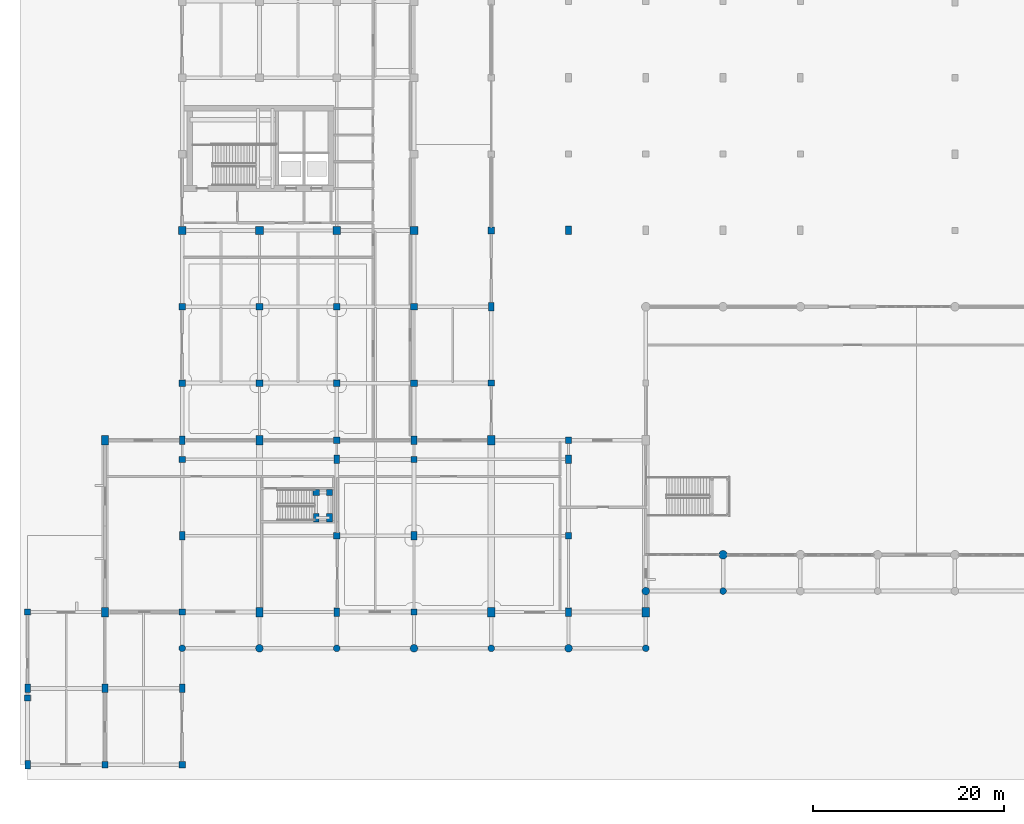
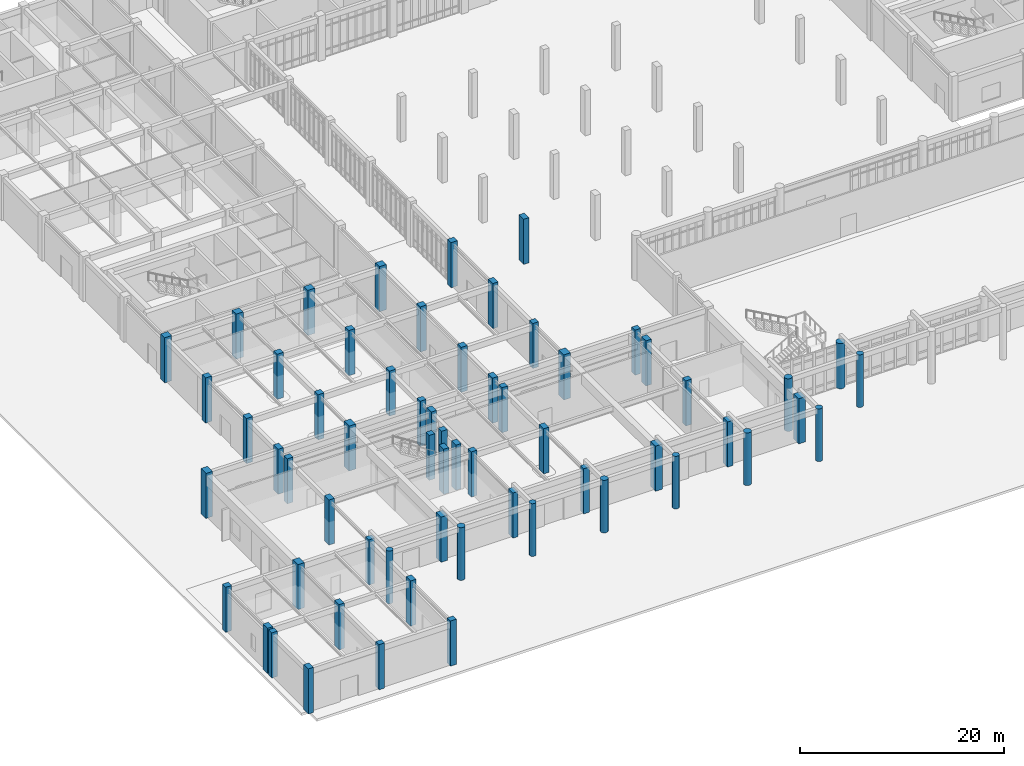
# One storey, part 1 of 62: 61 columns.
"""IFC4 building model written with IfcOpenShell, lengths in metres."""

from ifc_helpers import new_model, si_unit, direction, frame, origin, origin_2d, place, context, subcontext, project, spatial, rectangle, circle, extrude, material, material_profile, profile_set, type_object, element, save


model = new_model("IFC4")

# Units and contexts
model_context = context("Model", 3, precision=1e-05, world=origin(), true_north=direction((0.0, 1.0)))
body_context = subcontext(model_context, "Body", "Model", "MODEL_VIEW")
ifc_project = project(units=[si_unit("LENGTHUNIT", "METRE"), si_unit("AREAUNIT", "SQUARE_METRE"), si_unit("VOLUMEUNIT", "CUBIC_METRE"), si_unit("PLANEANGLEUNIT", "RADIAN"), si_unit("MASSUNIT", "GRAM", prefix="KILO")], contexts=[model_context])

# Site, building, storey
site_placement = place(None, origin())
site = spatial("IfcSite", under=ifc_project, at=site_placement, CompositionType="ELEMENT")
building_placement = place(site_placement, origin())
building = spatial("IfcBuilding", under=site, at=building_placement, Name="Tarnveldt Square Police Headquarters", CompositionType="ELEMENT")
storey_placement = place(building_placement, origin())
storey = spatial("IfcBuildingStorey", under=building, at=storey_placement, Name="L00", CompositionType="ELEMENT", Elevation=0.0)

# Columns
ifc_material_1 = material(Name="Concrete 40 MPa", Category="concrete")
ifc_material_profile_1 = material_profile(ifc_material_1, circle(Radius=0.35009765625, at=origin_2d()), Name="RC-D700")
ifc_profile_set_1 = profile_set([ifc_material_profile_1], Name="Concrete 40 MPa")
column_type_1 = type_object("IfcColumnType", Name="COL-D700", PredefinedType="COLUMN", material=ifc_profile_set_1)
for number, where, z_axis, x_axis, name in (
    (1, (16.199951171875, 12.199951171875, 0.0), (0.0, 0.0, 1.0), (1.0, 0.0, 0.0), "Tarnveldt Square Round Colonnade Column 1"),
    (2, (32.39990234375, 12.199951171875, 0.0), (0.0, 0.0, 1.0), (1.0, 0.0, 0.0), "Tarnveldt Square Round Colonnade Column 3"),
    (3, (48.60009765625, 12.199951171875, 0.0), (0.0, 0.0, 1.0), (1.0, 0.0, 0.0), "Tarnveldt Square Round Colonnade Column 5"),
    (4, (64.800048828125, 12.199951171875, 0.0), (0.0, 0.0, 1.0), (1.0, 0.0, 0.0), "Tarnveldt Square Round Colonnade Column 7"),
    (5, (72.89990234375, 18.199951171875, 0.0), (0.0, 0.0, 1.0), (1.0, 0.0, 0.0), "Tarnveldt Square Round Colonnade Column 9"),
):
    element("IfcColumn", number, at=place(storey_placement, frame(where, z_axis=z_axis, x_axis=x_axis)), inside=storey, type_object=column_type_1, Name=name, PredefinedType="COLUMN", context=body_context, shape_type="SweptSolid", body=[
        extrude(circle(Radius=0.35009765625, at=origin_2d()), origin(), (0.0, 0.0, 1.0), 6.300048828125),
    ])
ifc_material_profile_2 = material_profile(ifc_material_1, circle(Radius=0.39990234375, at=origin_2d()), Name="RC-D800")
ifc_profile_set_2 = profile_set([ifc_material_profile_2], Name="Concrete 40 MPa")
column_type_2 = type_object("IfcColumnType", Name="COL-D800", PredefinedType="COLUMN", material=ifc_profile_set_2)
for number, where, z_axis, x_axis, name in (
    (6, (24.300048828125, 12.199951171875, 0.0), (0.0, 0.0, 1.0), (1.0, 0.0, 0.0), "Tarnveldt Square Round Colonnade Column 2"),
    (7, (40.5, 12.199951171875, 0.0), (0.0, 0.0, 1.0), (1.0, 0.0, 0.0), "Tarnveldt Square Round Colonnade Column 4"),
    (8, (56.699951171875, 12.199951171875, 0.0), (0.0, 0.0, 1.0), (1.0, 0.0, 0.0), "Tarnveldt Square Round Colonnade Column 6"),
    (9, (64.800048828125, 18.199951171875, 0.0), (0.0, 0.0, 1.0), (1.0, 0.0, 0.0), "Tarnveldt Square Round Colonnade Column 8"),
):
    element("IfcColumn", number, at=place(storey_placement, frame(where, z_axis=z_axis, x_axis=x_axis)), inside=storey, type_object=column_type_2, Name=name, PredefinedType="COLUMN", context=body_context, shape_type="SweptSolid", body=[
        extrude(circle(Radius=0.39990234375, at=origin_2d()), origin(), (0.0, 0.0, 1.0), 6.300048828125),
    ])
ifc_material_2 = material(Name="Concrete 50 MPa", Category="concrete")
ifc_material_profile_3 = material_profile(ifc_material_2, circle(Radius=0.449951171875, at=origin_2d()), Name="RC-D900")
ifc_profile_set_3 = profile_set([ifc_material_profile_3], Name="Concrete 50 MPa")
column_type_3 = type_object("IfcColumnType", Name="COL-D900", PredefinedType="COLUMN", material=ifc_profile_set_3)
column_placement = place(storey_placement, frame((72.89990234375, 22.0, 0.0), z_axis=(0.0, 0.0, 1.0), x_axis=(1.0, 0.0, 0.0)))
element("IfcColumn", 10, at=column_placement, inside=storey, type_object=column_type_3, Name="L00 Column 107", PredefinedType="COLUMN", context=body_context, shape_type="SweptSolid", body=[
    extrude(circle(Radius=0.449951171875, at=origin_2d()), origin(), (0.0, 0.0, 1.0), 5.39990234375),
])
ifc_material_profile_4 = material_profile(ifc_material_2, rectangle(XDim=0.60009765625, YDim=0.89990234375, at=origin_2d()), Name="RC-C600x900")
ifc_profile_set_4 = profile_set([ifc_material_profile_4], Name="Concrete 50 MPa")
column_type_4 = type_object("IfcColumnType", Name="COL-RC600x900", PredefinedType="COLUMN", material=ifc_profile_set_4)
for number, where, z_axis, x_axis, name in (
    (11, (0.0, 0.0, 0.0), (0.0, 0.0, 1.0), (1.0, 0.0, 0.0), "L00 Column 001"),
    (12, (0.0, 8.0, 0.0), (0.0, 0.0, 1.0), (1.0, 0.0, 0.0), "L00 Column 003"),
    (13, (8.10009765625, 8.0, 0.0), (0.0, 0.0, 1.0), (1.0, 0.0, 0.0), "L00 Column 009"),
    (14, (16.199951171875, 8.0, 0.0), (0.0, 0.0, 1.0), (1.0, 0.0, 0.0), "L00 Column 013"),
    (15, (16.199951171875, 24.0, 0.0), (0.0, 0.0, 1.0), (1.0, 0.0, 0.0), "L00 Column 015"),
    (16, (16.199951171875, 34.0, 0.0), (0.0, 0.0, 1.0), (1.0, 0.0, 0.0), "L00 Column 017"),
    (17, (30.25, 25.8798828125, 0.0), (0.0, 0.0, 1.0), (1.0, 0.0, 0.0), "L00 Column 039"),
    (18, (31.64990234375, 25.8798828125, 0.0), (0.0, 0.0, 1.0), (1.0, 0.0, 0.0), "L00 Column 041"),
    (19, (32.39990234375, 16.0, 0.0), (0.0, 0.0, 1.0), (1.0, 0.0, 0.0), "L00 Column 043"),
    (20, (32.39990234375, 32.0, 0.0), (0.0, 0.0, 1.0), (1.0, 0.0, 0.0), "L00 Column 045"),
    (21, (40.5, 24.0, 0.0), (0.0, 0.0, 1.0), (1.0, 0.0, 0.0), "L00 Column 057"),
    (22, (40.5, 34.0, 0.0), (0.0, 0.0, 1.0), (1.0, 0.0, 0.0), "L00 Column 059"),
    (23, (48.60009765625, 48.0, 0.0), (0.0, 0.0, 1.0), (1.0, 0.0, 0.0), "L00 Column 073"),
    (24, (56.699951171875, 16.0, 0.0), (0.0, 0.0, 1.0), (1.0, 0.0, 0.0), "L00 Column 081"),
    (25, (56.699951171875, 32.0, 0.0), (0.0, 0.0, 1.0), (1.0, 0.0, 0.0), "L00 Column 083"),
    (26, (56.699951171875, 56.0, 0.0), (0.0, 0.0, 1.0), (1.0, 0.0, 0.0), "L00 Column 087"),
):
    element("IfcColumn", number, at=place(storey_placement, frame(where, z_axis=z_axis, x_axis=x_axis)), inside=storey, type_object=column_type_4, Name=name, PredefinedType="COLUMN", context=body_context, shape_type="SweptSolid", body=[
        extrude(rectangle(XDim=0.60009765625, YDim=0.89990234375, at=origin_2d()), origin(), (0.0, 0.0, 1.0), 5.39990234375),
    ])
ifc_material_profile_5 = material_profile(ifc_material_2, rectangle(XDim=0.64990234375, YDim=0.64990234375, at=origin_2d()), Name="RC-C650x650")
ifc_profile_set_5 = profile_set([ifc_material_profile_5], Name="Concrete 50 MPa")
column_type_5 = type_object("IfcColumnType", Name="COL-RC650", PredefinedType="COLUMN", material=ifc_profile_set_5)
for number, where, z_axis, x_axis, name in (
    (27, (0.0, 7.0, 0.0), (0.0, 0.0, 1.0), (1.0, 0.0, 0.0), "L00 Column 002"),
    (28, (0.0, 16.0, 0.0), (0.0, 0.0, 1.0), (1.0, 0.0, 0.0), "L00 Column 004"),
    (29, (8.10009765625, 0.0, 0.0), (0.0, 0.0, 1.0), (1.0, 0.0, 0.0), "L00 Column 008"),
    (30, (16.199951171875, 0.0, 0.0), (0.0, 0.0, 1.0), (1.0, 0.0, 0.0), "L00 Column 012"),
    (31, (16.199951171875, 16.0, 0.0), (0.0, 0.0, 1.0), (1.0, 0.0, 0.0), "L00 Column 014"),
    (32, (16.199951171875, 32.0, 0.0), (0.0, 0.0, 1.0), (1.0, 0.0, 0.0), "L00 Column 016"),
    (33, (30.25, 28.52001953125, 0.0), (0.0, 0.0, 1.0), (1.0, 0.0, 0.0), "L00 Column 040"),
    (34, (31.64990234375, 28.52001953125, 0.0), (0.0, 0.0, 1.0), (1.0, 0.0, 0.0), "L00 Column 042"),
    (35, (32.39990234375, 24.0, 0.0), (0.0, 0.0, 1.0), (1.0, 0.0, 0.0), "L00 Column 044"),
    (36, (32.39990234375, 34.0, 0.0), (0.0, 0.0, 1.0), (1.0, 0.0, 0.0), "L00 Column 046"),
    (37, (40.5, 16.0, 0.0), (0.0, 0.0, 1.0), (1.0, 0.0, 0.0), "L00 Column 056"),
    (38, (40.5, 32.0, 0.0), (0.0, 0.0, 1.0), (1.0, 0.0, 0.0), "L00 Column 058"),
    (39, (48.60009765625, 40.0, 0.0), (0.0, 0.0, 1.0), (1.0, 0.0, 0.0), "L00 Column 072"),
    (40, (56.699951171875, 24.0, 0.0), (0.0, 0.0, 1.0), (1.0, 0.0, 0.0), "L00 Column 082"),
    (41, (56.699951171875, 34.0, 0.0), (0.0, 0.0, 1.0), (1.0, 0.0, 0.0), "L00 Column 084"),
):
    element("IfcColumn", number, at=place(storey_placement, frame(where, z_axis=z_axis, x_axis=x_axis)), inside=storey, type_object=column_type_5, Name=name, PredefinedType="COLUMN", context=body_context, shape_type="SweptSolid", body=[
        extrude(rectangle(XDim=0.64990234375, YDim=0.64990234375, at=origin_2d()), origin(), (0.0, 0.0, 1.0), 5.39990234375),
    ])
ifc_material_profile_6 = material_profile(ifc_material_2, rectangle(XDim=0.699951171875, YDim=0.699951171875, at=origin_2d()), Name="RC-C700x700")
ifc_profile_set_6 = profile_set([ifc_material_profile_6], Name="Concrete 50 MPa")
column_type_6 = type_object("IfcColumnType", Name="COL-RC700", PredefinedType="COLUMN", material=ifc_profile_set_6)
for number, where, z_axis, x_axis, name in (
    (42, (16.199951171875, 40.0, 0.0), (0.0, 0.0, 1.0), (1.0, 0.0, 0.0), "L00 Column 018"),
    (43, (16.199951171875, 48.0, 0.0), (0.0, 0.0, 1.0), (1.0, 0.0, 0.0), "L00 Column 019"),
    (44, (24.300048828125, 40.0, 0.0), (0.0, 0.0, 1.0), (1.0, 0.0, 0.0), "L00 Column 031"),
    (45, (24.300048828125, 48.0, 0.0), (0.0, 0.0, 1.0), (1.0, 0.0, 0.0), "L00 Column 032"),
    (46, (32.39990234375, 40.0, 0.0), (0.0, 0.0, 1.0), (1.0, 0.0, 0.0), "L00 Column 047"),
    (47, (32.39990234375, 48.0, 0.0), (0.0, 0.0, 1.0), (1.0, 0.0, 0.0), "L00 Column 048"),
    (48, (40.5, 40.0, 0.0), (0.0, 0.0, 1.0), (1.0, 0.0, 0.0), "L00 Column 060"),
    (49, (40.5, 48.0, 0.0), (0.0, 0.0, 1.0), (1.0, 0.0, 0.0), "L00 Column 061"),
    (50, (48.60009765625, 56.0, 0.0), (0.0, 0.0, 1.0), (1.0, 0.0, 0.0), "L00 Column 074"),
):
    element("IfcColumn", number, at=place(storey_placement, frame(where, z_axis=z_axis, x_axis=x_axis)), inside=storey, type_object=column_type_6, Name=name, PredefinedType="COLUMN", context=body_context, shape_type="SweptSolid", body=[
        extrude(rectangle(XDim=0.699951171875, YDim=0.699951171875, at=origin_2d()), origin(), (0.0, 0.0, 1.0), 5.39990234375),
    ])
ifc_material_profile_7 = material_profile(ifc_material_2, rectangle(XDim=0.75, YDim=1.0, at=origin_2d()), Name="RC-C750x1000")
ifc_profile_set_7 = profile_set([ifc_material_profile_7], Name="Concrete 50 MPa")
column_type_7 = type_object("IfcColumnType", Name="COL-RC750x1000", PredefinedType="COLUMN", material=ifc_profile_set_7)
for number, where, z_axis, x_axis, name in (
    (51, (8.10009765625, 16.0, 0.0), (0.0, 0.0, 1.0), (1.0, 0.0, 0.0), "L00 Column 010"),
    (52, (8.10009765625, 34.0, 0.0), (0.0, 0.0, 1.0), (1.0, 0.0, 0.0), "L00 Column 011"),
    (53, (24.300048828125, 16.0, 0.0), (0.0, 0.0, 1.0), (1.0, 0.0, 0.0), "L00 Column 029"),
    (54, (24.300048828125, 34.0, 0.0), (0.0, 0.0, 1.0), (1.0, 0.0, 0.0), "L00 Column 030"),
    (55, (48.60009765625, 16.0, 0.0), (0.0, 0.0, 1.0), (1.0, 0.0, 0.0), "L00 Column 070"),
    (56, (48.60009765625, 34.0, 0.0), (0.0, 0.0, 1.0), (1.0, 0.0, 0.0), "L00 Column 071"),
    (57, (64.800048828125, 16.0, 0.0), (0.0, 0.0, 1.0), (1.0, 0.0, 0.0), "L00 Column 095"),
):
    element("IfcColumn", number, at=place(storey_placement, frame(where, z_axis=z_axis, x_axis=x_axis)), inside=storey, type_object=column_type_7, Name=name, PredefinedType="COLUMN", context=body_context, shape_type="SweptSolid", body=[
        extrude(rectangle(XDim=0.75, YDim=1.0, at=origin_2d()), origin(), (0.0, 0.0, 1.0), 5.39990234375),
    ])
ifc_material_profile_8 = material_profile(ifc_material_2, rectangle(XDim=0.800048828125, YDim=0.800048828125, at=origin_2d()), Name="RC-C800x800")
ifc_profile_set_8 = profile_set([ifc_material_profile_8], Name="Concrete 50 MPa")
column_type_8 = type_object("IfcColumnType", Name="COL-RC800", PredefinedType="COLUMN", material=ifc_profile_set_8)
for number, where, z_axis, x_axis, name in (
    (58, (16.199951171875, 56.0, 0.0), (0.0, 0.0, 1.0), (1.0, 0.0, 0.0), "L00 Column 020"),
    (59, (24.300048828125, 56.0, 0.0), (0.0, 0.0, 1.0), (1.0, 0.0, 0.0), "L00 Column 033"),
    (60, (32.39990234375, 56.0, 0.0), (0.0, 0.0, 1.0), (1.0, 0.0, 0.0), "L00 Column 049"),
    (61, (40.5, 56.0, 0.0), (0.0, 0.0, 1.0), (1.0, 0.0, 0.0), "L00 Column 062"),
):
    element("IfcColumn", number, at=place(storey_placement, frame(where, z_axis=z_axis, x_axis=x_axis)), inside=storey, type_object=column_type_8, Name=name, PredefinedType="COLUMN", context=body_context, shape_type="SweptSolid", body=[
        extrude(rectangle(XDim=0.800048828125, YDim=0.800048828125, at=origin_2d()), origin(), (0.0, 0.0, 1.0), 5.39990234375),
    ])

save(model, "model.ifc")
